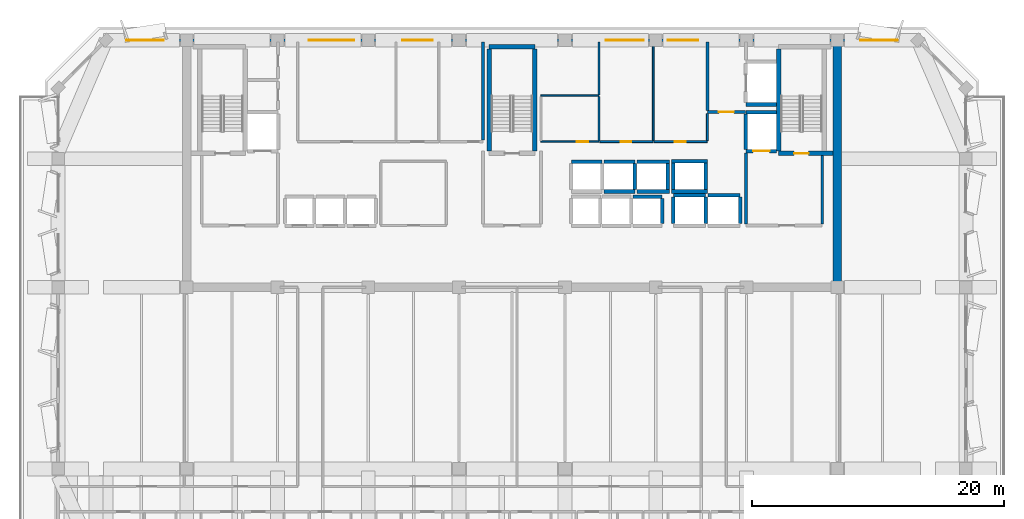
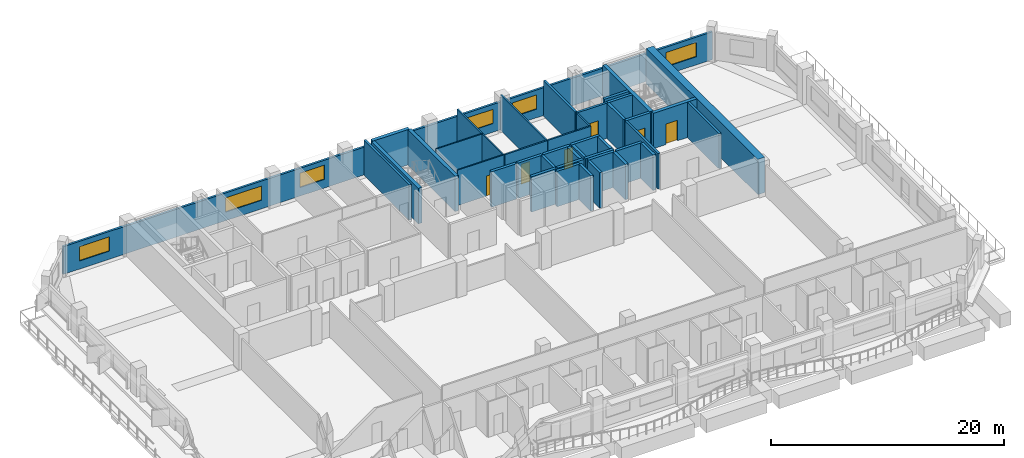
# One storey, part 8 of 13: 42 walls, 6 doors, 6 windows, 12 openings.
"""IFC4 building model written with IfcOpenShell, lengths in metres."""

from ifc_helpers import new_model, si_unit, direction, frame, frame_2d, origin, place, context, subcontext, project, spatial, rectangle, extrude, material, layer, layer_set, type_object, element, fill, save


model = new_model("IFC4")

# Units and contexts
model_context = context("Model", 3, precision=1e-05, world=origin(), true_north=direction((0.0, 1.0)))
body_context = subcontext(model_context, "Body", "Model", "MODEL_VIEW")
ifc_project = project(units=[si_unit("LENGTHUNIT", "METRE"), si_unit("AREAUNIT", "SQUARE_METRE"), si_unit("VOLUMEUNIT", "CUBIC_METRE"), si_unit("PLANEANGLEUNIT", "RADIAN"), si_unit("MASSUNIT", "GRAM", prefix="KILO")], contexts=[model_context])

# Site, building, storey
site_placement = place(None, origin())
site = spatial("IfcSite", under=ifc_project, at=site_placement, CompositionType="ELEMENT")
building_placement = place(site_placement, origin())
building = spatial("IfcBuilding", under=site, at=building_placement, Name="Kaelvorn Grand Hotel", CompositionType="ELEMENT")
storey_placement = place(building_placement, frame((0.0, 0.0, 229.14990234375)))
storey = spatial("IfcBuildingStorey", under=building, at=storey_placement, Name="L56", CompositionType="ELEMENT", Elevation=229.14990234375)

# Wall
ifc_material_1 = material(Name="Concrete C50/60", Category="concrete")
ifc_layer_1 = layer(ifc_material_1, 0.699951171875)
ifc_layer_set_1 = layer_set([ifc_layer_1], Name="Concrete C50/60")
wall_type_1 = type_object("IfcWallType", Name="WL-CORE-700-C50", PredefinedType="SHEAR", material=ifc_layer_set_1)
wall_1_placement = place(storey_placement, frame((67.800048828125, 29.39990234375, 0.0), z_axis=(0.0, 0.0, 1.0), x_axis=(0.0, 1.0, 0.0)))
element("IfcWall", 1, at=wall_1_placement, inside=storey, type_object=wall_type_1, Name="L56 Rear-Core East Shear Wall", PredefinedType="SHEAR", context=body_context, shape_type="SweptSolid", body=[
    extrude(rectangle(XDim=19.2001953125, YDim=0.699951171875, at=frame_2d((9.60009765625, 0.0))), origin(), (0.0, 0.0, 1.0), 3.710205078125),
])

# Wall, openings, windows
ifc_material_2 = material(Name="Concrete C40/50", Category="concrete")
ifc_layer_2 = layer(ifc_material_2, 0.219970703125)
ifc_layer_set_2 = layer_set([ifc_layer_2], Name="Concrete C40/50")
wall_type_2 = type_object("IfcWallType", Name="WL-EXT-220-C40", PredefinedType="SOLIDWALL", material=ifc_layer_set_2)
wall_2_placement = place(storey_placement, frame((74.199951171875, 49.0, 0.0), z_axis=(0.0, 0.0, 1.0), x_axis=(-1.0, 0.0, 0.0)))
wall_2 = element("IfcWall", 2, at=wall_2_placement, inside=storey, type_object=wall_type_2, Name="L56 Exterior Architectural Concrete Wall 05", PredefinedType="SOLIDWALL", context=body_context, shape_type="SweptSolid", body=[
    extrude(rectangle(XDim=64.39990234375, YDim=0.219970703125, at=frame_2d((32.199951171875, 0.0))), origin(), (0.0, 0.0, 1.0), 2.91015625),
])
opening_1_placement = place(wall_2_placement, frame((59.81494140625, 0.0, 0.85009765625)))
opening_1 = element("IfcOpeningElement", 3, at=opening_1_placement, cuts=wall_2, Name="Opening W5", PredefinedType="OPENING", context=body_context, shape_type="SweptSolid", body=[
    extrude(rectangle(XDim=3.0, YDim=1.5, at=frame_2d((1.5, 0.75))), frame((0.0, 0.1201171875, 0.0), z_axis=(0.0, -1.0, 0.0), x_axis=(1.0, 0.0, 0.0)), (0.0, 0.0, 1.0), 0.239990234375),
])
opening_2_placement = place(wall_2_placement, frame((1.5849609375, 0.0, 0.85009765625)))
opening_2 = element("IfcOpeningElement", 4, at=opening_2_placement, cuts=wall_2, Name="Opening W5", PredefinedType="OPENING", context=body_context, shape_type="SweptSolid", body=[
    extrude(rectangle(XDim=3.0, YDim=1.5, at=frame_2d((1.5, 0.75))), frame((0.0, 0.1201171875, 0.0), z_axis=(0.0, -1.0, 0.0), x_axis=(1.0, 0.0, 0.0)), (0.0, 0.0, 1.0), 0.239990234375),
])
opening_3_placement = place(wall_2_placement, frame((44.715087890625, 0.0, 0.89990234375)))
opening_3 = element("IfcOpeningElement", 5, at=opening_3_placement, cuts=wall_2, Name="Opening W3", PredefinedType="OPENING", context=body_context, shape_type="SweptSolid", body=[
    extrude(rectangle(XDim=3.60009765625, YDim=1.5, at=frame_2d((1.800048828125, 0.75))), frame((0.0, 0.1201171875, 0.0), z_axis=(0.0, -1.0, 0.0), x_axis=(1.0, 0.0, 0.0)), (0.0, 0.0, 1.0), 0.239990234375),
])
opening_4_placement = place(wall_2_placement, frame((38.5, 0.0, 0.89990234375)))
opening_4 = element("IfcOpeningElement", 6, at=opening_4_placement, cuts=wall_2, Name="Opening W6", PredefinedType="OPENING", context=body_context, shape_type="SweptSolid", body=[
    extrude(rectangle(XDim=2.39990234375, YDim=1.5, at=frame_2d((1.199951171875, 0.75))), frame((0.0, 0.1201171875, 0.0), z_axis=(0.0, -1.0, 0.0), x_axis=(1.0, 0.0, 0.0)), (0.0, 0.0, 1.0), 0.239990234375),
])
opening_5_placement = place(wall_2_placement, frame((21.75, 0.0, 0.89990234375)))
opening_5 = element("IfcOpeningElement", 7, at=opening_5_placement, cuts=wall_2, Name="Opening W5", PredefinedType="OPENING", context=body_context, shape_type="SweptSolid", body=[
    extrude(rectangle(XDim=3.0, YDim=1.5, at=frame_2d((1.5, 0.75))), frame((0.0, 0.1201171875, 0.0), z_axis=(0.0, -1.0, 0.0), x_axis=(1.0, 0.0, 0.0)), (0.0, 0.0, 1.0), 0.239990234375),
])
opening_6_placement = place(wall_2_placement, frame((17.43505859375, 0.0, 0.89990234375)))
opening_6 = element("IfcOpeningElement", 8, at=opening_6_placement, cuts=wall_2, Name="Opening W6", PredefinedType="OPENING", context=body_context, shape_type="SweptSolid", body=[
    extrude(rectangle(XDim=2.39990234375, YDim=1.5, at=frame_2d((1.199951171875, 0.75))), frame((0.0, 0.1201171875, 0.0), z_axis=(0.0, -1.0, 0.0), x_axis=(1.0, 0.0, 0.0)), (0.0, 0.0, 1.0), 0.239990234375),
])
ifc_material_3 = material(Name="Laminated Low-E Glass", Category="glass")
window_type_1 = type_object("IfcWindowType", Name="WIN-NTH-2400x1500", PartitioningType="SINGLE_PANEL", PredefinedType="WINDOW", material=ifc_material_3)
window_1_placement = place(opening_4_placement, origin())
window_1 = element("IfcWindow", 9, at=window_1_placement, inside=storey, type_object=window_type_1, Name="L56 North Core Clerestory Ribbon Window NC04", OverallHeight=1.5, OverallWidth=2.39990234375, PartitioningType="SINGLE_PANEL", PredefinedType="WINDOW", context=body_context, shape_type="SweptSolid", body=[
    extrude(rectangle(XDim=2.39990234375, YDim=1.5, at=frame_2d((1.199951171875, 0.75))), frame((0.0, 0.030029296875, 0.0), z_axis=(0.0, -1.0, 0.0), x_axis=(1.0, 0.0, 0.0)), (0.0, 0.0, 1.0), 0.06005859375),
])
fill(opening_4, window_1)
window_2_placement = place(opening_6_placement, origin())
window_2 = element("IfcWindow", 10, at=window_2_placement, inside=storey, type_object=window_type_1, Name="L56 North Core Clerestory Ribbon Window NC06", OverallHeight=1.5, OverallWidth=2.39990234375, PartitioningType="SINGLE_PANEL", PredefinedType="WINDOW", context=body_context, shape_type="SweptSolid", body=[
    extrude(rectangle(XDim=2.39990234375, YDim=1.5, at=frame_2d((1.199951171875, 0.75))), frame((0.0, 0.030029296875, 0.0), z_axis=(0.0, -1.0, 0.0), x_axis=(1.0, 0.0, 0.0)), (0.0, 0.0, 1.0), 0.06005859375),
])
fill(opening_6, window_2)
window_type_2 = type_object("IfcWindowType", Name="WIN-NTH-3000x1500", PartitioningType="SINGLE_PANEL", PredefinedType="WINDOW", material=ifc_material_3)
window_3_placement = place(opening_1_placement, origin())
window_3 = element("IfcWindow", 11, at=window_3_placement, inside=storey, type_object=window_type_2, Name="L56 North Wing Ribbon Window NW01", OverallHeight=1.5, OverallWidth=3.0, PartitioningType="SINGLE_PANEL", PredefinedType="WINDOW", context=body_context, shape_type="SweptSolid", body=[
    extrude(rectangle(XDim=3.0, YDim=1.5, at=frame_2d((1.5, 0.75))), frame((0.0, 0.030029296875, 0.0), z_axis=(0.0, -1.0, 0.0), x_axis=(1.0, 0.0, 0.0)), (0.0, 0.0, 1.0), 0.06005859375),
])
fill(opening_1, window_3)
window_4_placement = place(opening_2_placement, origin())
window_4 = element("IfcWindow", 12, at=window_4_placement, inside=storey, type_object=window_type_2, Name="L56 North Wing Ribbon Window NW02", OverallHeight=1.5, OverallWidth=3.0, PartitioningType="SINGLE_PANEL", PredefinedType="WINDOW", context=body_context, shape_type="SweptSolid", body=[
    extrude(rectangle(XDim=3.0, YDim=1.5, at=frame_2d((1.5, 0.75))), frame((0.0, 0.030029296875, 0.0), z_axis=(0.0, -1.0, 0.0), x_axis=(1.0, 0.0, 0.0)), (0.0, 0.0, 1.0), 0.06005859375),
])
fill(opening_2, window_4)
window_5_placement = place(opening_5_placement, origin())
window_5 = element("IfcWindow", 13, at=window_5_placement, inside=storey, type_object=window_type_2, Name="L56 North Core Clerestory Ribbon Window NC05", OverallHeight=1.5, OverallWidth=3.0, PartitioningType="SINGLE_PANEL", PredefinedType="WINDOW", context=body_context, shape_type="SweptSolid", body=[
    extrude(rectangle(XDim=3.0, YDim=1.5, at=frame_2d((1.5, 0.75))), frame((0.0, 0.030029296875, 0.0), z_axis=(0.0, -1.0, 0.0), x_axis=(1.0, 0.0, 0.0)), (0.0, 0.0, 1.0), 0.06005859375),
])
fill(opening_5, window_5)
window_type_3 = type_object("IfcWindowType", Name="WIN-RIB-3600x1750", PartitioningType="SINGLE_PANEL", PredefinedType="WINDOW", material=ifc_material_3)
window_6_placement = place(opening_3_placement, origin())
window_6 = element("IfcWindow", 14, at=window_6_placement, inside=storey, type_object=window_type_3, Name="L56 North Core Clerestory Ribbon Window NC03", OverallHeight=1.5, OverallWidth=3.60009765625, PartitioningType="SINGLE_PANEL", PredefinedType="WINDOW", context=body_context, shape_type="SweptSolid", body=[
    extrude(rectangle(XDim=3.60009765625, YDim=1.5, at=frame_2d((1.800048828125, 0.75))), frame((0.0, 0.030029296875, 0.0), z_axis=(0.0, -1.0, 0.0), x_axis=(1.0, 0.0, 0.0)), (0.0, 0.0, 1.0), 0.06005859375),
])
fill(opening_3, window_6)

# Wall, opening, door
ifc_material_4 = material(Name="Moisture-Resistant Tile & Stud Board")
ifc_layer_3 = layer(ifc_material_4, 0.125)
ifc_layer_set_3 = layer_set([ifc_layer_3], Name="Moisture-Resistant Tile & Stud Board")
wall_type_3 = type_object("IfcWallType", Name="WL-PART-125-WET", PredefinedType="PARTITIONING", material=ifc_layer_set_3)
wall_3_placement = place(storey_placement, frame((44.300048828125, 40.949951171875, 0.0), z_axis=(0.0, 0.0, 1.0), x_axis=(1.0, 0.0, 0.0)))
wall_3 = element("IfcWall", 15, at=wall_3_placement, inside=storey, type_object=wall_type_3, Name="L56 Accessible WC S Partition", PredefinedType="PARTITIONING", context=body_context, shape_type="SweptSolid", body=[
    extrude(rectangle(XDim=4.599853515625, YDim=0.125, at=frame_2d((2.2998046875, 0.0))), origin(), (0.0, 0.0, 1.0), 3.710205078125),
])
opening_7_placement = place(wall_3_placement, frame((2.85009765625, 0.0, 0.0)))
opening_7 = element("IfcOpeningElement", 16, at=opening_7_placement, cuts=wall_3, Name="Opening DI4", PredefinedType="OPENING", context=body_context, shape_type="SweptSolid", body=[
    extrude(rectangle(XDim=0.89990234375, YDim=2.10009765625, at=frame_2d((0.449951171875, 1.050048828125))), frame((0.0, 0.072509765625, 0.0), z_axis=(0.0, -1.0, 0.0), x_axis=(1.0, 0.0, 0.0)), (0.0, 0.0, 1.0), 0.14501953125),
])
ifc_material_5 = material(Name="Timber Veneer Leaf", Category="wood")
door_type_1 = type_object("IfcDoorType", Name="DR-INT-BATH-900x2100", OperationType="NOTDEFINED", PredefinedType="DOOR", material=ifc_material_5)
door_1_placement = place(opening_7_placement, origin())
door_1 = element("IfcDoor", 17, at=door_1_placement, inside=storey, type_object=door_type_1, Name="L56 Accessible WC Door", OperationType="SINGLE_SWING_RIGHT", OverallHeight=2.10009765625, OverallWidth=0.89990234375, PredefinedType="DOOR", context=body_context, shape_type="SweptSolid", body=[
    extrude(rectangle(XDim=0.89990234375, YDim=2.10009765625, at=frame_2d((0.449951171875, 1.050048828125))), frame((0.0, 0.02490234375, 0.0), z_axis=(0.0, -1.0, 0.0), x_axis=(1.0, 0.0, 0.0)), (0.0, 0.0, 1.0), 0.050048828125),
])
fill(opening_7, door_1)

# Walls
wall_4_placement = place(storey_placement, frame((44.300048828125, 44.60009765625, 0.0), z_axis=(0.0, 0.0, 1.0), x_axis=(1.0, 0.0, 0.0)))
element("IfcWall", 18, at=wall_4_placement, inside=storey, type_object=wall_type_3, Name="L56 Accessible WC N Partition", PredefinedType="PARTITIONING", context=body_context, shape_type="SweptSolid", body=[
    extrude(rectangle(XDim=4.599853515625, YDim=0.125, at=frame_2d((2.2998046875, 0.0))), origin(), (0.0, 0.0, 1.0), 3.710205078125),
])
wall_5_placement = place(storey_placement, frame((48.89990234375, 41.017578125, 0.0), z_axis=(0.0, 0.0, 1.0), x_axis=(0.0, 1.0, 0.0)))
element("IfcWall", 19, at=wall_5_placement, inside=storey, type_object=wall_type_3, Name="L56 Accessible WC E Partition", PredefinedType="PARTITIONING", context=body_context, shape_type="SweptSolid", body=[
    extrude(rectangle(XDim=3.514892578125, YDim=0.125, at=frame_2d((1.75732421875, 0.0))), origin(), (0.0, 0.0, 1.0), 3.710205078125),
])

# Wall, opening, door
ifc_material_6 = material(Name="Acoustic Gypsum & Stud Partition")
ifc_layer_4 = layer(ifc_material_6, 0.14990234375)
ifc_layer_set_4 = layer_set([ifc_layer_4], Name="Acoustic Gypsum & Stud Partition")
wall_type_4 = type_object("IfcWallType", Name="WL-PART-150-EI60", PredefinedType="PARTITIONING", material=ifc_layer_set_4)
wall_6_placement = place(storey_placement, frame((48.967529296875, 40.949951171875, 0.0), z_axis=(0.0, 0.0, 1.0), x_axis=(1.0, 0.0, 0.0)))
wall_6 = element("IfcWall", 20, at=wall_6_placement, inside=storey, type_object=wall_type_4, Name="L56 Minibar & Glassware Store S Partition", PredefinedType="PARTITIONING", context=body_context, shape_type="SweptSolid", body=[
    extrude(rectangle(XDim=4.232421875, YDim=0.14990234375, at=frame_2d((2.1162109375, 0.0))), origin(), (0.0, 0.0, 1.0), 3.710205078125),
])
opening_8_placement = place(wall_6_placement, frame((1.657470703125, 0.0, 0.0)))
opening_8 = element("IfcOpeningElement", 21, at=opening_8_placement, cuts=wall_6, Name="Opening DI7", PredefinedType="OPENING", context=body_context, shape_type="SweptSolid", body=[
    extrude(rectangle(XDim=0.85009765625, YDim=2.10009765625, at=frame_2d((0.425048828125, 1.050048828125))), frame((0.0, 0.0849609375, 0.0), z_axis=(0.0, -1.0, 0.0), x_axis=(1.0, 0.0, 0.0)), (0.0, 0.0, 1.0), 0.169921875),
])
ifc_material_7 = material(Name="Powder-Coated Steel Leaf", Category="steel")
door_type_2 = type_object("IfcDoorType", Name="DR-INT-RISER-850x2100", OperationType="NOTDEFINED", PredefinedType="DOOR", material=ifc_material_7)
door_2_placement = place(opening_8_placement, origin())
door_2 = element("IfcDoor", 22, at=door_2_placement, inside=storey, type_object=door_type_2, Name="L56 Minibar & Glassware Store Door", OperationType="SINGLE_SWING_LEFT", OverallHeight=2.10009765625, OverallWidth=0.85009765625, PredefinedType="DOOR", context=body_context, shape_type="SweptSolid", body=[
    extrude(rectangle(XDim=0.85009765625, YDim=2.10009765625, at=frame_2d((0.425048828125, 1.050048828125))), frame((0.0, 0.02490234375, 0.0), z_axis=(0.0, -1.0, 0.0), x_axis=(1.0, 0.0, 0.0)), (0.0, 0.0, 1.0), 0.050048828125),
])
fill(opening_8, door_2)

# Walls
wall_7_placement = place(storey_placement, frame((48.89990234375, 44.66748046875, 0.0), z_axis=(0.0, 0.0, 1.0), x_axis=(0.0, 1.0, 0.0)))
element("IfcWall", 23, at=wall_7_placement, inside=storey, type_object=wall_type_4, Name="L56 Minibar & Glassware Store W Partition", PredefinedType="PARTITIONING", context=body_context, shape_type="SweptSolid", body=[
    extrude(rectangle(XDim=4.1826171875, YDim=0.14990234375, at=frame_2d((2.09130859375, 0.0))), origin(), (0.0, 0.0, 1.0), 3.710205078125),
])
wall_8_placement = place(storey_placement, frame((53.199951171875, 41.030029296875, 0.0), z_axis=(0.0, 0.0, 1.0), x_axis=(0.0, 1.0, 0.0)))
element("IfcWall", 24, at=wall_8_placement, inside=storey, type_object=wall_type_4, Name="L56 Minibar & Glassware Store E Partition", PredefinedType="PARTITIONING", context=body_context, shape_type="SweptSolid", body=[
    extrude(rectangle(XDim=7.820068359375, YDim=0.14990234375, at=frame_2d((3.91015625, 0.0))), origin(), (0.0, 0.0, 1.0), 3.710205078125),
])

# Wall, opening, door
wall_9_placement = place(storey_placement, frame((53.280029296875, 40.949951171875, 0.0), z_axis=(0.0, 0.0, 1.0), x_axis=(1.0, 0.0, 0.0)))
wall_9 = element("IfcWall", 25, at=wall_9_placement, inside=storey, type_object=wall_type_4, Name="L56 Floor IT & Comms Room S Partition", PredefinedType="PARTITIONING", context=body_context, shape_type="SweptSolid", body=[
    extrude(rectangle(XDim=4.219970703125, YDim=0.14990234375, at=frame_2d((2.10986328125, 0.0))), origin(), (0.0, 0.0, 1.0), 3.710205078125),
])
opening_9_placement = place(wall_9_placement, frame((1.64501953125, 0.0, 0.0)))
opening_9 = element("IfcOpeningElement", 26, at=opening_9_placement, cuts=wall_9, Name="Opening DI7", PredefinedType="OPENING", context=body_context, shape_type="SweptSolid", body=[
    extrude(rectangle(XDim=0.85009765625, YDim=2.10009765625, at=frame_2d((0.425048828125, 1.050048828125))), frame((0.0, 0.0849609375, 0.0), z_axis=(0.0, -1.0, 0.0), x_axis=(1.0, 0.0, 0.0)), (0.0, 0.0, 1.0), 0.169921875),
])
door_3_placement = place(opening_9_placement, origin())
door_3 = element("IfcDoor", 27, at=door_3_placement, inside=storey, type_object=door_type_2, Name="L56 Floor IT & Comms Room Door", OperationType="SINGLE_SWING_RIGHT", OverallHeight=2.10009765625, OverallWidth=0.85009765625, PredefinedType="DOOR", context=body_context, shape_type="SweptSolid", body=[
    extrude(rectangle(XDim=0.85009765625, YDim=2.10009765625, at=frame_2d((0.425048828125, 1.050048828125))), frame((0.0, 0.02490234375, 0.0), z_axis=(0.0, -1.0, 0.0), x_axis=(1.0, 0.0, 0.0)), (0.0, 0.0, 1.0), 0.050048828125),
])
fill(opening_9, door_3)

# Walls
wall_10_placement = place(storey_placement, frame((57.5, 41.030029296875, 0.0), z_axis=(0.0, 0.0, 1.0), x_axis=(0.0, 1.0, 0.0)))
element("IfcWall", 28, at=wall_10_placement, inside=storey, type_object=wall_type_4, Name="L56 Floor IT & Comms Room E Partition", PredefinedType="PARTITIONING", context=body_context, shape_type="SweptSolid", body=[
    extrude(rectangle(XDim=2.155029296875, YDim=0.14990234375, at=frame_2d((1.07763671875, 0.0))), origin(), (0.0, 0.0, 1.0), 3.710205078125),
])
ifc_layer_5 = layer(ifc_material_2, 0.219970703125)
ifc_layer_set_5 = layer_set([ifc_layer_5], Name="Concrete C40/50")
wall_type_5 = type_object("IfcWallType", Name="WL-PART-220-EI120", PredefinedType="PARTITIONING", material=ifc_layer_set_5)
wall_11_placement = place(storey_placement, frame((60.550048828125, 34.4150390625, 0.0), z_axis=(0.0, 0.0, 1.0), x_axis=(0.0, 1.0, 0.0)))
element("IfcWall", 29, at=wall_11_placement, inside=storey, type_object=wall_type_5, Name="L56 Firefighting Lift Lobby 2 W Partition", PredefinedType="PARTITIONING", context=body_context, shape_type="SweptSolid", body=[
    extrude(rectangle(XDim=5.639892578125, YDim=0.219970703125, at=frame_2d((2.81982421875, 0.0))), origin(), (0.0, 0.0, 1.0), 3.710205078125),
])
wall_12_placement = place(storey_placement, frame((66.60009765625, 34.4150390625, 0.0), z_axis=(0.0, 0.0, 1.0), x_axis=(0.0, 1.0, 0.0)))
element("IfcWall", 30, at=wall_12_placement, inside=storey, type_object=wall_type_5, Name="L56 Firefighting Lift Lobby 2 E Partition", PredefinedType="PARTITIONING", context=body_context, shape_type="SweptSolid", body=[
    extrude(rectangle(XDim=5.429931640625, YDim=0.219970703125, at=frame_2d((2.71484375, 0.0))), origin(), (0.0, 0.0, 1.0), 3.710205078125),
])

# Wall, opening, door
wall_13_placement = place(storey_placement, frame((57.5, 43.300048828125, 0.0), z_axis=(0.0, 0.0, 1.0), x_axis=(1.0, 0.0, 0.0)))
wall_13 = element("IfcWall", 31, at=wall_13_placement, inside=storey, type_object=wall_type_5, Name="L56 Service Lift Lobby S Partition", PredefinedType="PARTITIONING", context=body_context, shape_type="SweptSolid", body=[
    extrude(rectangle(XDim=3.0400390625, YDim=0.219970703125, at=frame_2d((1.52001953125, 0.0))), origin(), (0.0, 0.0, 1.0), 3.710205078125),
])
opening_10_placement = place(wall_13_placement, frame((0.89990234375, 0.0, 0.0)))
opening_10 = element("IfcOpeningElement", 32, at=opening_10_placement, cuts=wall_13, Name="Opening DI2", PredefinedType="OPENING", context=body_context, shape_type="SweptSolid", body=[
    extrude(rectangle(XDim=1.199951171875, YDim=2.14990234375, at=frame_2d((0.60009765625, 1.074951171875))), frame((0.0, 0.1201171875, 0.0), z_axis=(0.0, -1.0, 0.0), x_axis=(1.0, 0.0, 0.0)), (0.0, 0.0, 1.0), 0.239990234375),
])
ifc_material_8 = material(Name="Timber Veneer Fire Leaf", Category="wood")
door_type_3 = type_object("IfcDoorType", Name="DR-INT-FFLOB-1200x2150", OperationType="NOTDEFINED", PredefinedType="DOOR", material=ifc_material_8)
door_4_placement = place(opening_10_placement, origin())
door_4 = element("IfcDoor", 33, at=door_4_placement, inside=storey, type_object=door_type_3, Name="L56 Service Lift Lobby Door", OperationType="SINGLE_SWING_LEFT", OverallHeight=2.14990234375, OverallWidth=1.199951171875, PredefinedType="DOOR", context=body_context, shape_type="SweptSolid", body=[
    extrude(rectangle(XDim=1.199951171875, YDim=2.14990234375, at=frame_2d((0.60009765625, 1.074951171875))), frame((0.0, 0.02490234375, 0.0), z_axis=(0.0, -1.0, 0.0), x_axis=(1.0, 0.0, 0.0)), (0.0, 0.0, 1.0), 0.050048828125),
])
fill(opening_10, door_4)

# Walls
wall_14_placement = place(storey_placement, frame((57.5, 43.4150390625, 0.0), z_axis=(0.0, 0.0, 1.0), x_axis=(0.0, 1.0, 0.0)))
element("IfcWall", 34, at=wall_14_placement, inside=storey, type_object=wall_type_5, Name="L56 Service Lift Lobby W Partition", PredefinedType="PARTITIONING", context=body_context, shape_type="SweptSolid", body=[
    extrude(rectangle(XDim=5.43505859375, YDim=0.219970703125, at=frame_2d((2.717529296875, 0.0))), origin(), (0.0, 0.0, 1.0), 3.710205078125),
])
wall_15_placement = place(storey_placement, frame((39.699951171875, 41.06494140625, 0.0), z_axis=(0.0, 0.0, 1.0), x_axis=(0.0, 1.0, 0.0)))
element("IfcWall", 35, at=wall_15_placement, inside=storey, type_object=wall_type_5, Name="L56 LV Electrical & Metering Room E Partition", PredefinedType="PARTITIONING", context=body_context, shape_type="SweptSolid", body=[
    extrude(rectangle(XDim=7.78515625, YDim=0.219970703125, at=frame_2d((3.892578125, 0.0))), origin(), (0.0, 0.0, 1.0), 3.710205078125),
])
ifc_layer_6 = layer(ifc_material_1, 0.280029296875)
ifc_layer_set_6 = layer_set([ifc_layer_6], Name="Concrete C50/60")
wall_type_6 = type_object("IfcWallType", Name="WL-SHAFT-280-C50", PredefinedType="SHEAR", material=ifc_layer_set_6)
wall_16_placement = place(storey_placement, frame((51.60009765625, 36.60009765625, 0.0), z_axis=(0.0, 0.0, 1.0), x_axis=(1.0, 0.0, 0.0)))
element("IfcWall", 36, at=wall_16_placement, inside=storey, type_object=wall_type_6, Name="L56 Lift PL-M3 Shaft North Wall", PredefinedType="SHEAR", context=body_context, shape_type="SweptSolid", body=[
    extrude(rectangle(XDim=2.2998046875, YDim=0.280029296875, at=frame_2d((1.14990234375, 0.0))), origin(), (0.0, 0.0, 1.0), 3.710205078125),
])
wall_17_placement = place(storey_placement, frame((53.89990234375, 34.445068359375, 0.0), z_axis=(0.0, 0.0, 1.0), x_axis=(0.0, 1.0, 0.0)))
element("IfcWall", 37, at=wall_17_placement, inside=storey, type_object=wall_type_6, Name="L56 Lift PL-M3 Shaft East Wall", PredefinedType="SHEAR", context=body_context, shape_type="SweptSolid", body=[
    extrude(rectangle(XDim=2.010009765625, YDim=0.280029296875, at=frame_2d((1.0048828125, 0.0))), origin(), (0.0, 0.0, 1.0), 3.710205078125),
])
for number, where, z_axis, x_axis, name in (
    (38, (46.699951171875, 39.35009765625, 0.0), (0.0, 0.0, 1.0), (1.0, 0.0, 0.0), "L56 Lift SL-1 Shaft North Wall"),
    (39, (49.300048828125, 37.0, 0.0), (0.0, 0.0, 1.0), (1.0, 0.0, 0.0), "L56 Lift SL-2 Shaft South Wall"),
    (40, (49.300048828125, 39.35009765625, 0.0), (0.0, 0.0, 1.0), (1.0, 0.0, 0.0), "L56 Lift SL-2 Shaft North Wall"),
):
    element("IfcWall", number, at=place(storey_placement, frame(where, z_axis=z_axis, x_axis=x_axis)), inside=storey, type_object=wall_type_6, Name=name, PredefinedType="SHEAR", context=body_context, shape_type="SweptSolid", body=[
        extrude(rectangle(XDim=2.449951171875, YDim=0.280029296875, at=frame_2d((1.22509765625, 0.0))), origin(), (0.0, 0.0, 1.0), 3.710205078125),
    ])
wall_18_placement = place(storey_placement, frame((51.75, 37.14501953125, 0.0), z_axis=(0.0, 0.0, 1.0), x_axis=(0.0, 1.0, 0.0)))
element("IfcWall", 41, at=wall_18_placement, inside=storey, type_object=wall_type_6, Name="L56 Lift SL-2 Shaft East Wall", PredefinedType="SHEAR", context=body_context, shape_type="SweptSolid", body=[
    extrude(rectangle(XDim=2.06005859375, YDim=0.280029296875, at=frame_2d((1.030029296875, 0.0))), origin(), (0.0, 0.0, 1.0), 3.710205078125),
])
for number, where, z_axis, x_axis, name in (
    (42, (51.89990234375, 37.0, 0.0), (0.0, 0.0, 1.0), (1.0, 0.0, 0.0), "L56 Lift SL-3 Shaft South Wall"),
    (43, (51.89990234375, 39.35009765625, 0.0), (0.0, 0.0, 1.0), (1.0, 0.0, 0.0), "L56 Lift SL-3 Shaft North Wall"),
):
    element("IfcWall", number, at=place(storey_placement, frame(where, z_axis=z_axis, x_axis=x_axis)), inside=storey, type_object=wall_type_6, Name=name, PredefinedType="SHEAR", context=body_context, shape_type="SweptSolid", body=[
        extrude(rectangle(XDim=2.590087890625, YDim=0.280029296875, at=frame_2d((1.294921875, 0.0))), origin(), (0.0, 0.0, 1.0), 3.710205078125),
    ])
wall_19_placement = place(storey_placement, frame((54.35009765625, 37.14501953125, 0.0), z_axis=(0.0, 0.0, 1.0), x_axis=(0.0, 1.0, 0.0)))
element("IfcWall", 44, at=wall_19_placement, inside=storey, type_object=wall_type_6, Name="L56 Lift SL-3 Shaft East Wall", PredefinedType="SHEAR", context=body_context, shape_type="SweptSolid", body=[
    extrude(rectangle(XDim=2.06005859375, YDim=0.280029296875, at=frame_2d((1.030029296875, 0.0))), origin(), (0.0, 0.0, 1.0), 3.710205078125),
])
wall_20_placement = place(storey_placement, frame((54.800048828125, 36.699951171875, 0.0), z_axis=(0.0, 0.0, 1.0), x_axis=(1.0, 0.0, 0.0)))
element("IfcWall", 45, at=wall_20_placement, inside=storey, type_object=wall_type_6, Name="L56 Lift OL-1 Shaft North Wall", PredefinedType="SHEAR", context=body_context, shape_type="SweptSolid", body=[
    extrude(rectangle(XDim=2.550048828125, YDim=0.280029296875, at=frame_2d((1.27490234375, 0.0))), origin(), (0.0, 0.0, 1.0), 3.710205078125),
])
for number, where, z_axis, x_axis, name in (
    (46, (54.800048828125, 34.445068359375, 0.0), (0.0, 0.0, 1.0), (0.0, 1.0, 0.0), "L56 Lift OL-1 Shaft West Wall"),
    (47, (57.35009765625, 34.445068359375, 0.0), (0.0, 0.0, 1.0), (0.0, 1.0, 0.0), "L56 Lift OL-1 Shaft East Wall"),
):
    element("IfcWall", number, at=place(storey_placement, frame(where, z_axis=z_axis, x_axis=x_axis)), inside=storey, type_object=wall_type_6, Name=name, PredefinedType="SHEAR", context=body_context, shape_type="SweptSolid", body=[
        extrude(rectangle(XDim=2.10986328125, YDim=0.280029296875, at=frame_2d((1.054931640625, 0.0))), origin(), (0.0, 0.0, 1.0), 3.710205078125),
    ])
wall_21_placement = place(storey_placement, frame((57.550048828125, 36.699951171875, 0.0), z_axis=(0.0, 0.0, 1.0), x_axis=(1.0, 0.0, 0.0)))
element("IfcWall", 48, at=wall_21_placement, inside=storey, type_object=wall_type_6, Name="L56 Lift OL-2 Shaft North Wall", PredefinedType="SHEAR", context=body_context, shape_type="SweptSolid", body=[
    extrude(rectangle(XDim=2.550048828125, YDim=0.280029296875, at=frame_2d((1.27490234375, 0.0))), origin(), (0.0, 0.0, 1.0), 3.710205078125),
])
wall_22_placement = place(storey_placement, frame((60.10009765625, 34.445068359375, 0.0), z_axis=(0.0, 0.0, 1.0), x_axis=(0.0, 1.0, 0.0)))
element("IfcWall", 49, at=wall_22_placement, inside=storey, type_object=wall_type_6, Name="L56 Lift OL-2 Shaft East Wall", PredefinedType="SHEAR", context=body_context, shape_type="SweptSolid", body=[
    extrude(rectangle(XDim=2.10986328125, YDim=0.280029296875, at=frame_2d((1.054931640625, 0.0))), origin(), (0.0, 0.0, 1.0), 3.710205078125),
])
for number, where, z_axis, x_axis, name in (
    (50, (54.659912109375, 37.0, 0.0), (0.0, 0.0, 1.0), (1.0, 0.0, 0.0), "L56 Lift OL-3 Shaft South Wall"),
    (51, (54.659912109375, 39.39990234375, 0.0), (0.0, 0.0, 1.0), (1.0, 0.0, 0.0), "L56 Lift OL-3 Shaft North Wall"),
):
    element("IfcWall", number, at=place(storey_placement, frame(where, z_axis=z_axis, x_axis=x_axis)), inside=storey, type_object=wall_type_6, Name=name, PredefinedType="SHEAR", context=body_context, shape_type="SweptSolid", body=[
        extrude(rectangle(XDim=2.830078125, YDim=0.280029296875, at=frame_2d((1.4150390625, 0.0))), origin(), (0.0, 0.0, 1.0), 3.710205078125),
    ])
for number, where, z_axis, x_axis, name in (
    (52, (54.800048828125, 37.14501953125, 0.0), (0.0, 0.0, 1.0), (0.0, 1.0, 0.0), "L56 Lift OL-3 Shaft West Wall"),
    (53, (57.35009765625, 37.14501953125, 0.0), (0.0, 0.0, 1.0), (0.0, 1.0, 0.0), "L56 Lift OL-3 Shaft East Wall"),
):
    element("IfcWall", number, at=place(storey_placement, frame(where, z_axis=z_axis, x_axis=x_axis)), inside=storey, type_object=wall_type_6, Name=name, PredefinedType="SHEAR", context=body_context, shape_type="SweptSolid", body=[
        extrude(rectangle(XDim=2.10986328125, YDim=0.280029296875, at=frame_2d((1.054931640625, 0.0))), origin(), (0.0, 0.0, 1.0), 3.710205078125),
    ])

# Wall, opening, door
wall_23_placement = place(storey_placement, frame((60.550048828125, 40.199951171875, 0.0), z_axis=(0.0, 0.0, 1.0), x_axis=(1.0, 0.0, 0.0)))
wall_23 = element("IfcWall", 54, at=wall_23_placement, inside=storey, type_object=wall_type_6, Name="L56 Lift FFL2 Shaft South Wall", PredefinedType="SHEAR", context=body_context, shape_type="SweptSolid", body=[
    extrude(rectangle(XDim=2.4150390625, YDim=0.280029296875, at=frame_2d((1.20751953125, 0.0))), origin(), (0.0, 0.0, 1.0), 3.710205078125),
])
opening_11_placement = place(wall_23_placement, frame((0.574951171875, 0.0, 0.0)))
opening_11 = element("IfcOpeningElement", 55, at=opening_11_placement, cuts=wall_23, Name="Opening LD-FFL2", PredefinedType="OPENING", context=body_context, shape_type="SweptSolid", body=[
    extrude(rectangle(XDim=1.300048828125, YDim=2.300048828125, at=frame_2d((0.64990234375, 1.14990234375))), frame((0.0, 0.14990234375, 0.0), z_axis=(0.0, -1.0, 0.0), x_axis=(1.0, 0.0, 0.0)), (0.0, 0.0, 1.0), 0.300048828125),
])
ifc_material_9 = material(Name="Stainless Steel", Category="steel")
door_type_4 = type_object("IfcDoorType", Name="DR-LIFT-SERV-1300x2300", OperationType="DOUBLE_DOOR_SLIDING", PredefinedType="DOOR", material=ifc_material_9)
door_5_placement = place(opening_11_placement, origin())
door_5 = element("IfcDoor", 56, at=door_5_placement, inside=storey, type_object=door_type_4, Name="L56 Lift FFL2 Sliding Landing Door LD-FFL2", OperationType="DOUBLE_DOOR_SLIDING", OverallHeight=2.300048828125, OverallWidth=1.300048828125, PredefinedType="DOOR", context=body_context, shape_type="SweptSolid", body=[
    extrude(rectangle(XDim=1.300048828125, YDim=2.300048828125, at=frame_2d((0.64990234375, 1.14990234375))), frame((0.0, 0.02490234375, 0.0), z_axis=(0.0, -1.0, 0.0), x_axis=(1.0, 0.0, 0.0)), (0.0, 0.0, 1.0), 0.050048828125),
])
fill(opening_11, door_5)

# Walls
wall_24_placement = place(storey_placement, frame((60.550048828125, 43.300048828125, 0.0), z_axis=(0.0, 0.0, 1.0), x_axis=(1.0, 0.0, 0.0)))
element("IfcWall", 57, at=wall_24_placement, inside=storey, type_object=wall_type_6, Name="L56 Lift FFL2 Shaft North Wall", PredefinedType="SHEAR", context=body_context, shape_type="SweptSolid", body=[
    extrude(rectangle(XDim=2.4150390625, YDim=0.280029296875, at=frame_2d((1.20751953125, 0.0))), origin(), (0.0, 0.0, 1.0), 3.710205078125),
])
wall_25_placement = place(storey_placement, frame((60.550048828125, 40.344970703125, 0.0), z_axis=(0.0, 0.0, 1.0), x_axis=(0.0, 1.0, 0.0)))
element("IfcWall", 58, at=wall_25_placement, inside=storey, type_object=wall_type_6, Name="L56 Lift FFL2 Shaft West Wall", PredefinedType="SHEAR", context=body_context, shape_type="SweptSolid", body=[
    extrude(rectangle(XDim=2.81005859375, YDim=0.280029296875, at=frame_2d((1.405029296875, 0.0))), origin(), (0.0, 0.0, 1.0), 3.710205078125),
])
wall_26_placement = place(storey_placement, frame((60.550048828125, 43.89990234375, 0.0), z_axis=(0.0, 0.0, 1.0), x_axis=(1.0, 0.0, 0.0)))
element("IfcWall", 59, at=wall_26_placement, inside=storey, type_object=wall_type_6, Name="L56 Lift SV1 Shaft South Wall", PredefinedType="SHEAR", context=body_context, shape_type="SweptSolid", body=[
    extrude(rectangle(XDim=2.4150390625, YDim=0.280029296875, at=frame_2d((1.20751953125, 0.0))), origin(), (0.0, 0.0, 1.0), 3.710205078125),
])
ifc_material_10 = material(Name="Concrete C60/75", Category="concrete")
ifc_layer_7 = layer(ifc_material_10, 0.35009765625)
ifc_layer_set_7 = layer_set([ifc_layer_7], Name="Concrete C60/75")
wall_type_7 = type_object("IfcWallType", Name="WL-SHAFT-350-C60", PredefinedType="SHEAR", material=ifc_layer_set_7)
wall_27_placement = place(storey_placement, frame((40.18505859375, 48.47509765625, 0.0), z_axis=(0.0, 0.0, 1.0), x_axis=(1.0, 0.0, 0.0)))
element("IfcWall", 60, at=wall_27_placement, inside=storey, type_object=wall_type_7, Name="L56 ST2 Stair Shaft North Wall", PredefinedType="SHEAR", context=body_context, shape_type="SweptSolid", body=[
    extrude(rectangle(XDim=3.6298828125, YDim=0.35009765625, at=frame_2d((1.81494140625, 0.0))), origin(), (0.0, 0.0, 1.0), 3.710205078125),
])
for number, where, z_axis, x_axis, name in (
    (61, (40.18505859375, 40.205078125, 0.0), (0.0, 0.0, 1.0), (0.0, 1.0, 0.0), "L56 ST2 Stair Shaft West Wall"),
    (62, (43.81494140625, 40.205078125, 0.0), (0.0, 0.0, 1.0), (0.0, 1.0, 0.0), "L56 ST2 Stair Shaft East Wall"),
):
    element("IfcWall", number, at=place(storey_placement, frame(where, z_axis=z_axis, x_axis=x_axis)), inside=storey, type_object=wall_type_7, Name=name, PredefinedType="SHEAR", context=body_context, shape_type="SweptSolid", body=[
        extrude(rectangle(XDim=8.08984375, YDim=0.35009765625, at=frame_2d((4.044921875, 0.0))), origin(), (0.0, 0.0, 1.0), 3.710205078125),
    ])

# Wall, opening, door
wall_28_placement = place(storey_placement, frame((63.14501953125, 40.02490234375, 0.0), z_axis=(0.0, 0.0, 1.0), x_axis=(1.0, 0.0, 0.0)))
wall_28 = element("IfcWall", 63, at=wall_28_placement, inside=storey, type_object=wall_type_7, Name="L56 ST3 Stair Shaft South Wall", PredefinedType="SHEAR", context=body_context, shape_type="SweptSolid", body=[
    extrude(rectangle(XDim=4.300048828125, YDim=0.35009765625, at=frame_2d((2.14990234375, 0.0))), origin(), (0.0, 0.0, 1.0), 3.710205078125),
])
opening_12_placement = place(wall_28_placement, frame((1.239990234375, 0.0, 0.0)))
opening_12 = element("IfcOpeningElement", 64, at=opening_12_placement, cuts=wall_28, Name="Opening DI1", PredefinedType="OPENING", context=body_context, shape_type="SweptSolid", body=[
    extrude(rectangle(XDim=1.14990234375, YDim=2.14990234375, at=frame_2d((0.574951171875, 1.074951171875))), frame((0.0, 0.18505859375, 0.0), z_axis=(0.0, -1.0, 0.0), x_axis=(1.0, 0.0, 0.0)), (0.0, 0.0, 1.0), 0.3701171875),
])
door_type_5 = type_object("IfcDoorType", Name="DR-INT-STAIR-1150x2150", OperationType="NOTDEFINED", PredefinedType="DOOR", material=ifc_material_8)
door_6_placement = place(opening_12_placement, origin())
door_6 = element("IfcDoor", 65, at=door_6_placement, inside=storey, type_object=door_type_5, Name="L56 ST3 Exit Stair Fire Door", OperationType="SINGLE_SWING_LEFT", OverallHeight=2.14990234375, OverallWidth=1.14990234375, PredefinedType="DOOR", context=body_context, shape_type="SweptSolid", body=[
    extrude(rectangle(XDim=1.14990234375, YDim=2.14990234375, at=frame_2d((0.574951171875, 1.074951171875))), frame((0.0, 0.02490234375, 0.0), z_axis=(0.0, -1.0, 0.0), x_axis=(1.0, 0.0, 0.0)), (0.0, 0.0, 1.0), 0.050048828125),
])
fill(opening_12, door_6)

# Wall
wall_29_placement = place(storey_placement, frame((63.14501953125, 40.205078125, 0.0), z_axis=(0.0, 0.0, 1.0), x_axis=(0.0, 1.0, 0.0)))
element("IfcWall", 66, at=wall_29_placement, inside=storey, type_object=wall_type_7, Name="L56 ST3 Stair Shaft West Wall", PredefinedType="SHEAR", context=body_context, shape_type="SweptSolid", body=[
    extrude(rectangle(XDim=8.08984375, YDim=0.35009765625, at=frame_2d((4.044921875, 0.0))), origin(), (0.0, 0.0, 1.0), 3.710205078125),
])

save(model, "model.ifc")
